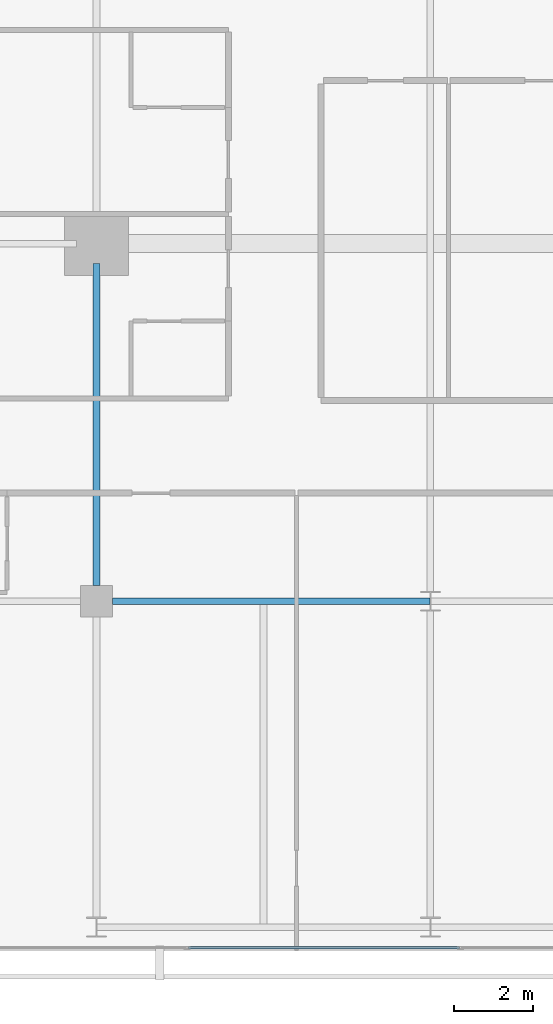
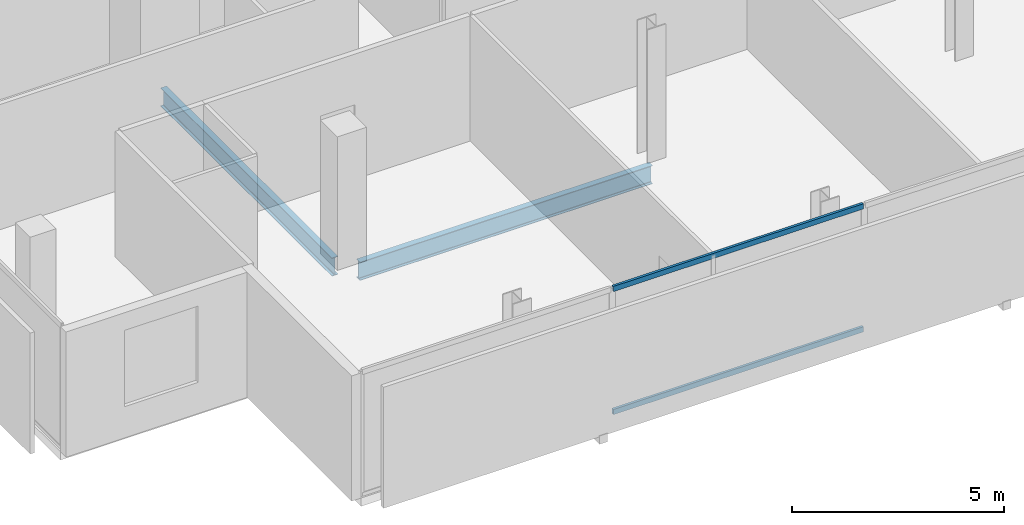
# One storey, part 5 of 25: 2 beams, 2 members, 1 element without a shape of its own.
"""IFC4 building model written with IfcOpenShell, lengths in metres."""

from ifc_helpers import new_model, si_unit, direction, frame, origin, origin_2d, place, context, subcontext, project, spatial, hollow_rectangle, i_section, extrude, material, layer, layer_set, material_profile, profile_set, type_object, element, aggregate, save


model = new_model("IFC4")

# Units and contexts
model_context = context("Model", 3, precision=1e-05, world=origin(), true_north=direction((0.0, 1.0)))
body_context = subcontext(model_context, "Body", "Model", "MODEL_VIEW")
ifc_project = project(units=[si_unit("LENGTHUNIT", "METRE"), si_unit("AREAUNIT", "SQUARE_METRE"), si_unit("VOLUMEUNIT", "CUBIC_METRE"), si_unit("PLANEANGLEUNIT", "RADIAN"), si_unit("MASSUNIT", "GRAM", prefix="KILO")], contexts=[model_context])

# Site, building, storey
site_placement = place(None, origin())
site = spatial("IfcSite", under=ifc_project, at=site_placement, CompositionType="ELEMENT")
building_placement = place(site_placement, origin())
building = spatial("IfcBuilding", under=site, at=building_placement, Name="Maruvema Waterfront Hotel and Observation Tower", CompositionType="ELEMENT")
storey_placement = place(building_placement, frame((0.0, 0.0, 277.89990234375)))
storey = spatial("IfcBuildingStorey", under=building, at=storey_placement, Name="L68", CompositionType="ELEMENT", Elevation=277.89990234375)

# Curtain wall, members
ifc_material_1 = material(Name="Anodised bronze aluminium and solar-control low-E IGU", Category="aluminium")
ifc_layer = layer(ifc_material_1, 0.159912109375, Name="Zone 3 Champagne Inner Thermal Curtain Wall System CW-04")
ifc_layer_set = layer_set([ifc_layer], Name="Anodised bronze aluminium and solar-control low-E IGU")
curtain_wall_type = type_object("IfcCurtainWallType", Name="Zone 3 Champagne Inner Thermal Curtain Wall System CW-04", PredefinedType="USERDEFINED", material=ifc_layer_set)
curtain_wall_placement = place(storey_placement, origin())
curtain_wall = element("IfcCurtainWall", 1, at=curtain_wall_placement, inside=storey, type_object=curtain_wall_type, Name="L68 Curtain Wall CW-L68-S", ObjectType="UNITISED CURTAIN WALL", PredefinedType="USERDEFINED")
ifc_material_2 = material(Name="Anodised architectural bronze aluminium", Category="aluminium")
ifc_material_profile_1 = material_profile(ifc_material_2, hollow_rectangle(XDim=0.070068359375, YDim=0.14990234375, WallThickness=0.00390625, at=origin_2d()), Name="ALU-T70x150")
ifc_profile_set_1 = profile_set([ifc_material_profile_1], Name="Anodised architectural bronze aluminium")
member_type = type_object("IfcMemberType", Name="Curtain Wall Horizontal Transom ALU-T70x150", PredefinedType="USERDEFINED", material=ifc_profile_set_1)
member_1_placement = place(storey_placement, frame((27.510009765625, 9.280029296875, 0.030029296875), z_axis=(1.0, 0.0, 0.0), x_axis=(0.0, 1.0, 0.0)))
member_1 = element("IfcMember", 2, at=member_1_placement, type_object=member_type, Name="CW-04 transom 2.1", ObjectType="TRANSOM", PredefinedType="USERDEFINED", context=body_context, shape_type="SweptSolid", body=[
    extrude(hollow_rectangle(XDim=0.070068359375, YDim=0.14990234375, WallThickness=0.00390625, at=origin_2d()), origin(), (0.0, 0.0, 1.0), 6.820068359375),
])
member_2_placement = place(storey_placement, frame((27.510009765625, 9.280029296875, 3.580078125), z_axis=(1.0, 0.0, 0.0), x_axis=(0.0, 1.0, 0.0)))
member_2 = element("IfcMember", 3, at=member_2_placement, type_object=member_type, Name="CW-04 transom 2.2", ObjectType="TRANSOM", PredefinedType="USERDEFINED", context=body_context, shape_type="SweptSolid", body=[
    extrude(hollow_rectangle(XDim=0.070068359375, YDim=0.14990234375, WallThickness=0.00390625, at=origin_2d()), origin(), (0.0, 0.0, 1.0), 6.820068359375),
])
aggregate(curtain_wall, [member_1, member_2])

# Beams
ifc_material_3 = material(Name="Steel ASTM A572 Grade 50", Category="steel")
ifc_material_profile_2 = material_profile(ifc_material_3, i_section(OverallWidth=0.166015625, OverallDepth=0.529052734375, WebThickness=0.009765625, FlangeThickness=0.013671875, FilletRadius=0.014892578125, at=origin_2d()), Name="W530x74.0")
ifc_profile_set_2 = profile_set([ifc_material_profile_2], Name="Steel ASTM A572 Grade 50")
beam_type = type_object("IfcBeamType", Name="Primary Floor Girder W530x74.0", PredefinedType="BEAM", material=ifc_profile_set_2)
beam_1_placement = place(storey_placement, frame((25.60009765625, 18.0, -0.50439453125), z_axis=(1.0, 0.0, 0.0), x_axis=(0.0, 1.0, 0.0)))
element("IfcBeam", 4, at=beam_1_placement, inside=storey, type_object=beam_type, Name="L68 Floor Girder EW-05", PredefinedType="BEAM", context=body_context, shape_type="SweptSolid", body=[
    extrude(i_section(OverallWidth=0.166015625, OverallDepth=0.529052734375, WebThickness=0.009765625, FlangeThickness=0.013671875, FilletRadius=0.014892578125, at=origin_2d()), origin(), (0.0, 0.0, 1.0), 7.989013671875),
])
beam_2_placement = place(storey_placement, frame((25.199951171875, 18.39990234375, -0.50439453125), z_axis=(0.0, 1.0, 0.0), x_axis=(-1.0, 0.0, 0.0)))
element("IfcBeam", 5, at=beam_2_placement, inside=storey, type_object=beam_type, Name="L68 Floor Girder NS-05", PredefinedType="BEAM", context=body_context, shape_type="SweptSolid", body=[
    extrude(i_section(OverallWidth=0.166015625, OverallDepth=0.529052734375, WebThickness=0.009765625, FlangeThickness=0.013671875, FilletRadius=0.014892578125, at=origin_2d()), origin(), (0.0, 0.0, 1.0), 8.10009765625),
])

save(model, "model.ifc")
